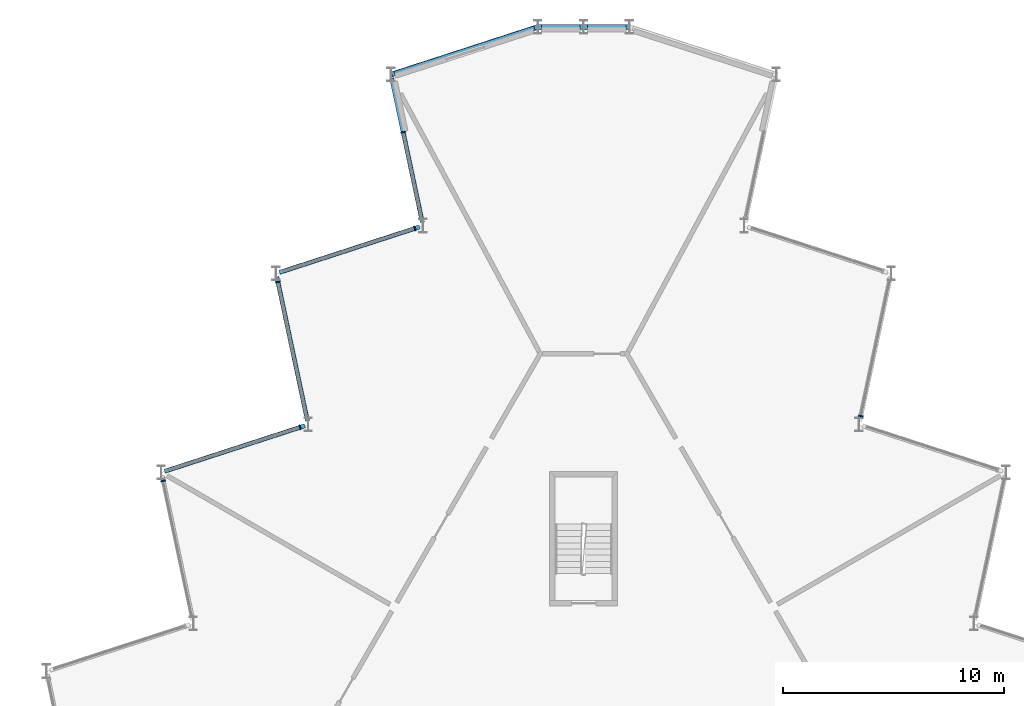
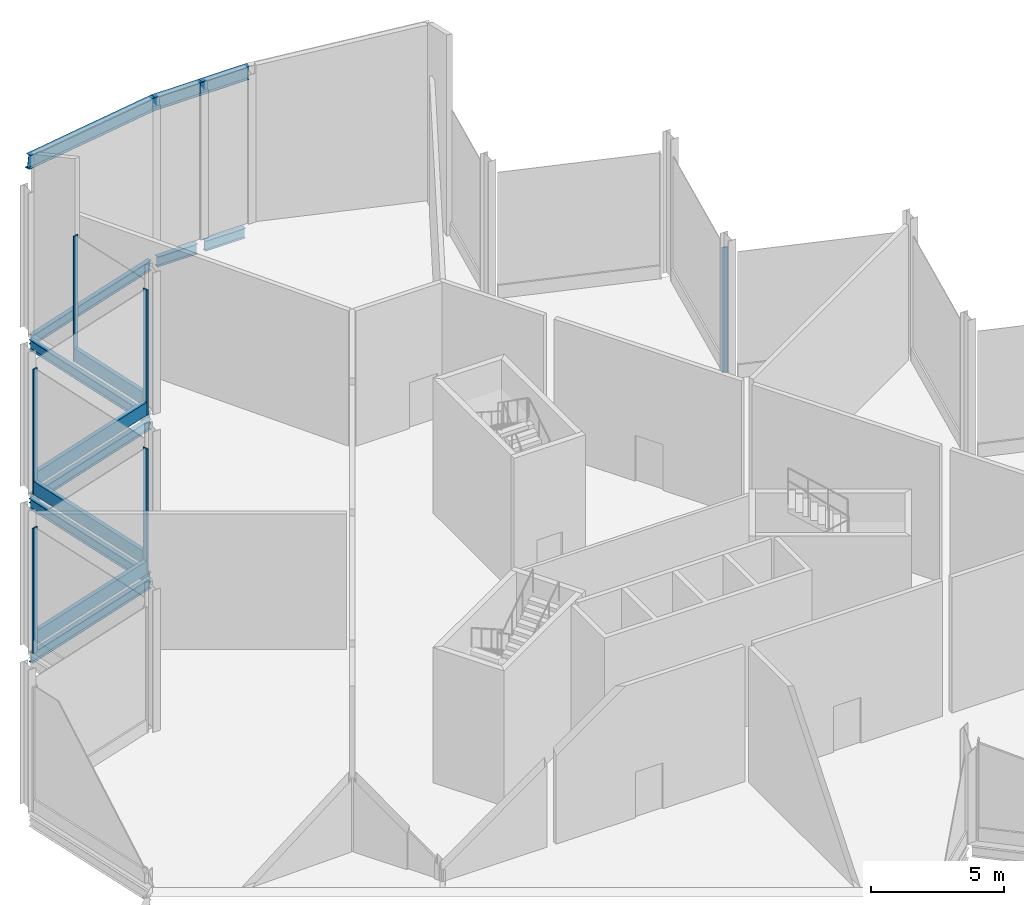
# One storey, part 7 of 12: 13 members, 7 beams, 6 elements without a shape of their own.
"""IFC4 building model written with IfcOpenShell, lengths in metres."""

from ifc_helpers import new_model, si_unit, direction, frame, origin, origin_2d, place, context, subcontext, project, spatial, rectangle, i_section, extrude, material, layer, layer_set, material_profile, profile_set, type_object, element, aggregate, save


model = new_model("IFC4")

# Units and contexts
model_context = context("Model", 3, precision=1e-05, world=origin(), true_north=direction((0.0, 1.0)))
body_context = subcontext(model_context, "Body", "Model", "MODEL_VIEW")
ifc_project = project(units=[si_unit("LENGTHUNIT", "METRE"), si_unit("AREAUNIT", "SQUARE_METRE"), si_unit("VOLUMEUNIT", "CUBIC_METRE"), si_unit("PLANEANGLEUNIT", "RADIAN"), si_unit("MASSUNIT", "GRAM", prefix="KILO")], contexts=[model_context])

# Site, building, storey
site_placement = place(None, origin())
site = spatial("IfcSite", under=ifc_project, at=site_placement, CompositionType="ELEMENT")
building_placement = place(site_placement, origin())
building = spatial("IfcBuilding", under=site, at=building_placement, Name="Cormorant Prow Tower", CompositionType="ELEMENT")
storey_placement = place(building_placement, frame((0.0, 0.0, 428.199951171875)))
storey = spatial("IfcBuildingStorey", under=building, at=storey_placement, Name="L96", CompositionType="ELEMENT", Elevation=428.199951171875)

# Members
ifc_material_1 = material(Name="Structural steel ASTM A992 Gr 50", Category="steel")
ifc_material_profile_1 = material_profile(ifc_material_1, i_section(OverallWidth=0.22900390625, OverallDepth=0.612060546875, WebThickness=0.011962890625, FlangeThickness=0.01953125, at=origin_2d()), Name="W24x84")
ifc_profile_set_1 = profile_set([ifc_material_profile_1], Name="Structural steel ASTM A992 Gr 50")
member_type_1 = type_object("IfcMemberType", Name="Crown frame edge member W24x84", PredefinedType="USERDEFINED", material=ifc_profile_set_1)
for number, where, z_axis, x_axis, name in (
    (1, (2.07373046875, 31.219482421875, 6.769775390625), (-1.0, 0.0, 0.0), (0.0, -1.0, 0.0), "Crown frame edge member CF3 N00-N01"),
    (2, (0.0, 31.219482421875, 6.769775390625), (-1.0, 0.0, 0.0), (0.0, -1.0, 0.0), "Crown frame edge member CF3 N01-WNW00"),
):
    element("IfcMember", number, at=place(storey_placement, frame(where, z_axis=z_axis, x_axis=x_axis)), inside=storey, type_object=member_type_1, Name=name, ObjectType="CROWN FRAME", PredefinedType="USERDEFINED", context=body_context, shape_type="SweptSolid", body=[
        extrude(i_section(OverallWidth=0.22900390625, OverallDepth=0.612060546875, WebThickness=0.011962890625, FlangeThickness=0.01953125, at=origin_2d()), origin(), (0.0, 0.0, 1.0), 2.07373046875),
    ])
member_1_placement = place(storey_placement, frame((-2.07373046875, 31.219482421875, 6.76953125), z_axis=(-0.942276055246, -0.306175765695, 0.135544222343), x_axis=(0.309027690338, -0.951053040899, 0.0)))
element("IfcMember", 3, at=member_1_placement, inside=storey, type_object=member_type_1, Name="Crown frame edge member CF3 WNW00-WNW01", ObjectType="CROWN FRAME", PredefinedType="USERDEFINED", context=body_context, shape_type="SweptSolid", body=[
    extrude(i_section(OverallWidth=0.22900390625, OverallDepth=0.612060546875, WebThickness=0.011962890625, FlangeThickness=0.01953125, at=origin_2d()), origin(), (0.0, 0.0, 1.0), 7.0625),
])

# Curtain wall, member
ifc_material_2 = material(Name="Aluminium 6063-T6", Category="aluminium")
ifc_layer = layer(ifc_material_2, 0.219970703125)
ifc_layer_set = layer_set([ifc_layer], Name="Aluminium 6063-T6")
curtain_wall_type = type_object("IfcCurtainWallType", Name="Crown unitised curtain wall 220", PredefinedType="NOTDEFINED", material=ifc_layer_set)
curtain_wall_1_placement = place(storey_placement, origin())
curtain_wall_1 = element("IfcCurtainWall", 4, at=curtain_wall_1_placement, inside=storey, type_object=curtain_wall_type, Name="Crown curtain wall crown ENE06", PredefinedType="NOTDEFINED")
ifc_material_3 = material(Name="Aluminium 6063-T6", Category="aluminium")
ifc_material_profile_2 = material_profile(ifc_material_3, rectangle(XDim=0.219970703125, YDim=0.06005859375, at=origin_2d()), Name="Crown mullion 60x220")
ifc_profile_set_2 = profile_set([ifc_material_profile_2], Name="Aluminium 6063-T6")
member_type_2 = type_object("IfcMemberType", Name="Crown mullion 60x220", PredefinedType="MULLION", material=ifc_profile_set_2)
member_2_placement = place(storey_placement, frame((12.55615234375, 13.593505859375, 0.0), z_axis=(0.0, 0.0, 1.0), x_axis=(-0.978147615768, 0.207911620089, 0.0)))
member_2 = element("IfcMember", 5, at=member_2_placement, type_object=member_type_2, Name="Crown mullion crown ENE06", PredefinedType="MULLION", context=body_context, shape_type="SweptSolid", body=[
    extrude(rectangle(XDim=0.219970703125, YDim=0.06005859375, at=origin_2d()), origin(), (0.0, 0.0, 1.0), 5.73388671875),
])
aggregate(curtain_wall_1, [member_2])

curtain_wall_2_placement = place(storey_placement, origin())
curtain_wall_2 = element("IfcCurtainWall", 6, at=curtain_wall_2_placement, inside=storey, type_object=curtain_wall_type, Name="Crown curtain wall crown WNW01", PredefinedType="NOTDEFINED")
member_3_placement = place(storey_placement, frame((-8.173828125, 26.44677734375, 0.0), z_axis=(0.0, 0.0, 1.0), x_axis=(0.978147615768, 0.207911620089, 0.0)))
member_3 = element("IfcMember", 7, at=member_3_placement, type_object=member_type_2, Name="Crown mullion crown WNW01", PredefinedType="MULLION", context=body_context, shape_type="SweptSolid", body=[
    extrude(rectangle(XDim=0.219970703125, YDim=0.06005859375, at=origin_2d()), origin(), (0.0, 0.0, 1.0), 5.73388671875),
])

curtain_wall_3_placement = place(storey_placement, origin())
curtain_wall_3 = element("IfcCurtainWall", 8, at=curtain_wall_3_placement, inside=storey, type_object=curtain_wall_type, Name="Crown curtain wall crown WNW02", PredefinedType="NOTDEFINED")
member_4_placement = place(storey_placement, frame((-7.650390625, 22.090576171875, 0.0), z_axis=(0.0, 0.0, 1.0), x_axis=(0.309016937108, -0.951056534902, 0.0)))
member_4 = element("IfcMember", 9, at=member_4_placement, type_object=member_type_2, Name="Crown mullion crown WNW02", PredefinedType="MULLION", context=body_context, shape_type="SweptSolid", body=[
    extrude(rectangle(XDim=0.219970703125, YDim=0.06005859375, at=origin_2d()), origin(), (0.0, 0.0, 1.0), 5.73388671875),
])

curtain_wall_4_placement = place(storey_placement, origin())
curtain_wall_4 = element("IfcCurtainWall", 10, at=curtain_wall_4_placement, inside=storey, type_object=curtain_wall_type, Name="Crown curtain wall crown WNW03", PredefinedType="NOTDEFINED")
member_5_placement = place(storey_placement, frame((-13.84619140625, 19.663330078125, 0.0), z_axis=(0.0, 0.0, 1.0), x_axis=(0.978147615768, 0.207911620089, 0.0)))
member_5 = element("IfcMember", 11, at=member_5_placement, type_object=member_type_2, Name="Crown mullion crown WNW03", PredefinedType="MULLION", context=body_context, shape_type="SweptSolid", body=[
    extrude(rectangle(XDim=0.219970703125, YDim=0.06005859375, at=origin_2d()), origin(), (0.0, 0.0, 1.0), 5.73388671875),
])

curtain_wall_5_placement = place(storey_placement, origin())
curtain_wall_5 = element("IfcCurtainWall", 12, at=curtain_wall_5_placement, inside=storey, type_object=curtain_wall_type, Name="Crown curtain wall crown WNW04", PredefinedType="NOTDEFINED")
member_6_placement = place(storey_placement, frame((-12.850341796875, 13.083740234375, 0.0), z_axis=(0.0, 0.0, 1.0), x_axis=(0.309017066365, -0.951056492904, 0.0)))
member_6 = element("IfcMember", 13, at=member_6_placement, type_object=member_type_2, Name="Crown mullion crown WNW04", PredefinedType="MULLION", context=body_context, shape_type="SweptSolid", body=[
    extrude(rectangle(XDim=0.219970703125, YDim=0.06005859375, at=origin_2d()), origin(), (0.0, 0.0, 1.0), 5.73388671875),
])

curtain_wall_6_placement = place(storey_placement, origin())
curtain_wall_6 = element("IfcCurtainWall", 14, at=curtain_wall_6_placement, inside=storey, type_object=curtain_wall_type, Name="Crown curtain wall crown WNW05", PredefinedType="NOTDEFINED")
member_7_placement = place(storey_placement, frame((-19.04638671875, 10.656494140625, 0.0), z_axis=(0.0, 0.0, 1.0), x_axis=(0.978147609588, 0.207911649162, 0.0)))
member_7 = element("IfcMember", 15, at=member_7_placement, type_object=member_type_2, Name="Crown mullion crown WNW05", PredefinedType="MULLION", context=body_context, shape_type="SweptSolid", body=[
    extrude(rectangle(XDim=0.219970703125, YDim=0.06005859375, at=origin_2d()), origin(), (0.0, 0.0, 1.0), 5.73388671875),
])
aggregate(curtain_wall_6, [member_7])

# Beams
ifc_material_4 = material(Name="Structural steel ASTM A992 Gr 50", Category="steel")
ifc_material_profile_3 = material_profile(ifc_material_4, i_section(OverallWidth=0.19287109375, OverallDepth=0.466064453125, WebThickness=0.011474609375, FlangeThickness=0.01904296875, at=origin_2d()), Name="W18x65")
ifc_profile_set_3 = profile_set([ifc_material_profile_3], Name="Structural steel ASTM A992 Gr 50")
beam_type = type_object("IfcBeamType", Name="Crown ring beam W18x65", PredefinedType="SPANDREL", material=ifc_profile_set_3)
for number, where, z_axis, x_axis, name in (
    (16, (1.91064453125, 31.219482421875, -0.532958984375), (-1.0, 0.0, 0.0), (0.0, -1.0, 0.0), "Crown ring beam SB5 N00-N01 L96"),
    (17, (-0.163330078125, 31.219482421875, -0.532958984375), (-1.0, 0.0, 0.0), (0.0, -1.0, 0.0), "Crown ring beam SB5 N01-WNW00 L96"),
):
    element("IfcBeam", number, at=place(storey_placement, frame(where, z_axis=z_axis, x_axis=x_axis)), inside=storey, type_object=beam_type, Name=name, PredefinedType="SPANDREL", context=body_context, shape_type="SweptSolid", body=[
        extrude(i_section(OverallWidth=0.19287109375, OverallDepth=0.466064453125, WebThickness=0.011474609375, FlangeThickness=0.01904296875, at=origin_2d()), origin(), (0.0, 0.0, 1.0), 1.747314453125),
    ])
for number, where, z_axis, x_axis, name in (
    (18, (-2.22900390625, 31.169189453125, -0.532958984375), (-0.951049666898, -0.309038073858, 0.0), (0.309038073858, -0.951049666898, 0.0), "Crown ring beam SB5 WNW00-WNW01 L96"),
    (19, (-8.694580078125, 28.8974609375, -0.532958984375), (0.207884143827, -0.978153455622, 0.0), (0.978153455622, 0.207884143827, 0.0), "Crown ring beam SB5 WNW01-WNW02 L96"),
):
    element("IfcBeam", number, at=place(storey_placement, frame(where, z_axis=z_axis, x_axis=x_axis)), inside=storey, type_object=beam_type, Name=name, PredefinedType="SPANDREL", context=body_context, shape_type="SweptSolid", body=[
        extrude(i_section(OverallWidth=0.19287109375, OverallDepth=0.466064453125, WebThickness=0.011474609375, FlangeThickness=0.01904296875, at=origin_2d()), origin(), (0.0, 0.0, 1.0), 6.670654296875),
    ])
beam_placement = place(storey_placement, frame((-7.428955078125, 22.162353515625, -0.532958984375), z_axis=(-0.951063917575, -0.308994214649, 0.0), x_axis=(0.308994214649, -0.951063917575, 0.0)))
element("IfcBeam", 20, at=beam_placement, inside=storey, type_object=beam_type, Name="Crown ring beam SB5 WNW02-WNW03 L96", PredefinedType="SPANDREL", context=body_context, shape_type="SweptSolid", body=[
    extrude(i_section(OverallWidth=0.19287109375, OverallDepth=0.466064453125, WebThickness=0.011474609375, FlangeThickness=0.01904296875, at=origin_2d()), origin(), (0.0, 0.0, 1.0), 6.6708984375),
])
for number, where, z_axis, x_axis, name in (
    (21, (-13.894775390625, 19.890869140625, -0.532958984375), (0.207919161079, -0.978146012851, 0.0), (0.978146012851, 0.207919161079, 0.0), "Crown ring beam SB5 WNW03-WNW04 L96"),
    (22, (-12.629150390625, 13.15576171875, -0.532958984375), (-0.951049666898, -0.309038073858, 0.0), (0.309038073858, -0.951049666898, 0.0), "Crown ring beam SB5 WNW04-WNW05 L96"),
):
    element("IfcBeam", number, at=place(storey_placement, frame(where, z_axis=z_axis, x_axis=x_axis)), inside=storey, type_object=beam_type, Name=name, PredefinedType="SPANDREL", context=body_context, shape_type="SweptSolid", body=[
        extrude(i_section(OverallWidth=0.19287109375, OverallDepth=0.466064453125, WebThickness=0.011474609375, FlangeThickness=0.01904296875, at=origin_2d()), origin(), (0.0, 0.0, 1.0), 6.670654296875),
    ])

# Member
ifc_material_5 = material(Name="Terracotta", Category="masonry")
ifc_material_profile_4 = material_profile(ifc_material_5, rectangle(XDim=0.179931640625, YDim=0.60009765625, at=origin_2d()), Name="Crown terracotta spandrel rail 180x600")
ifc_profile_set_4 = profile_set([ifc_material_profile_4], Name="Terracotta")
member_type_3 = type_object("IfcMemberType", Name="Crown terracotta spandrel rail 180x600", PredefinedType="USERDEFINED", material=ifc_profile_set_4)
member_8_placement = place(storey_placement, frame((-8.16748046875, 26.41748046875, 0.300048828125), z_axis=(0.207909244495, -0.978148120713, 0.0), x_axis=(0.978148120713, 0.207909244495, 0.0)))
member_8 = element("IfcMember", 23, at=member_8_placement, type_object=member_type_3, Name="Crown spandrel rail crown WNW01", ObjectType="TRANSOM", PredefinedType="USERDEFINED", context=body_context, shape_type="SweptSolid", body=[
    extrude(rectangle(XDim=0.179931640625, YDim=0.60009765625, at=origin_2d()), origin(), (0.0, 0.0, 1.0), 3.9326171875),
])

aggregate(curtain_wall_2, [member_3, member_8])

member_9_placement = place(storey_placement, frame((-7.678955078125, 22.081298828125, 0.300048828125), z_axis=(-0.951048234918, -0.309042480672, 0.0), x_axis=(0.309042480672, -0.951048234918, 0.0)))
member_9 = element("IfcMember", 24, at=member_9_placement, type_object=member_type_3, Name="Crown spandrel rail crown WNW02", ObjectType="TRANSOM", PredefinedType="USERDEFINED", context=body_context, shape_type="SweptSolid", body=[
    extrude(rectangle(XDim=0.179931640625, YDim=0.60009765625, at=origin_2d()), origin(), (0.0, 0.0, 1.0), 6.205322265625),
])

aggregate(curtain_wall_3, [member_4, member_9])

member_10_placement = place(storey_placement, frame((-13.840087890625, 19.6337890625, 0.300048828125), z_axis=(0.207935455991, -0.978142548988, 0.0), x_axis=(0.978142548988, 0.207935455991, 0.0)))
member_10 = element("IfcMember", 25, at=member_10_placement, type_object=member_type_3, Name="Crown spandrel rail crown WNW03", ObjectType="TRANSOM", PredefinedType="USERDEFINED", context=body_context, shape_type="SweptSolid", body=[
    extrude(rectangle(XDim=0.179931640625, YDim=0.60009765625, at=origin_2d()), origin(), (0.0, 0.0, 1.0), 6.205322265625),
])

aggregate(curtain_wall_4, [member_5, member_10])

member_11_placement = place(storey_placement, frame((-12.87890625, 13.074462890625, 0.300048828125), z_axis=(-0.951059797983, -0.309006894194, 0.0), x_axis=(0.309006894194, -0.951059797983, 0.0)))
member_11 = element("IfcMember", 26, at=member_11_placement, type_object=member_type_3, Name="Crown spandrel rail crown WNW04", ObjectType="TRANSOM", PredefinedType="USERDEFINED", context=body_context, shape_type="SweptSolid", body=[
    extrude(rectangle(XDim=0.179931640625, YDim=0.60009765625, at=origin_2d()), origin(), (0.0, 0.0, 1.0), 6.205322265625),
])

aggregate(curtain_wall_5, [member_6, member_11])

save(model, "model.ifc")
